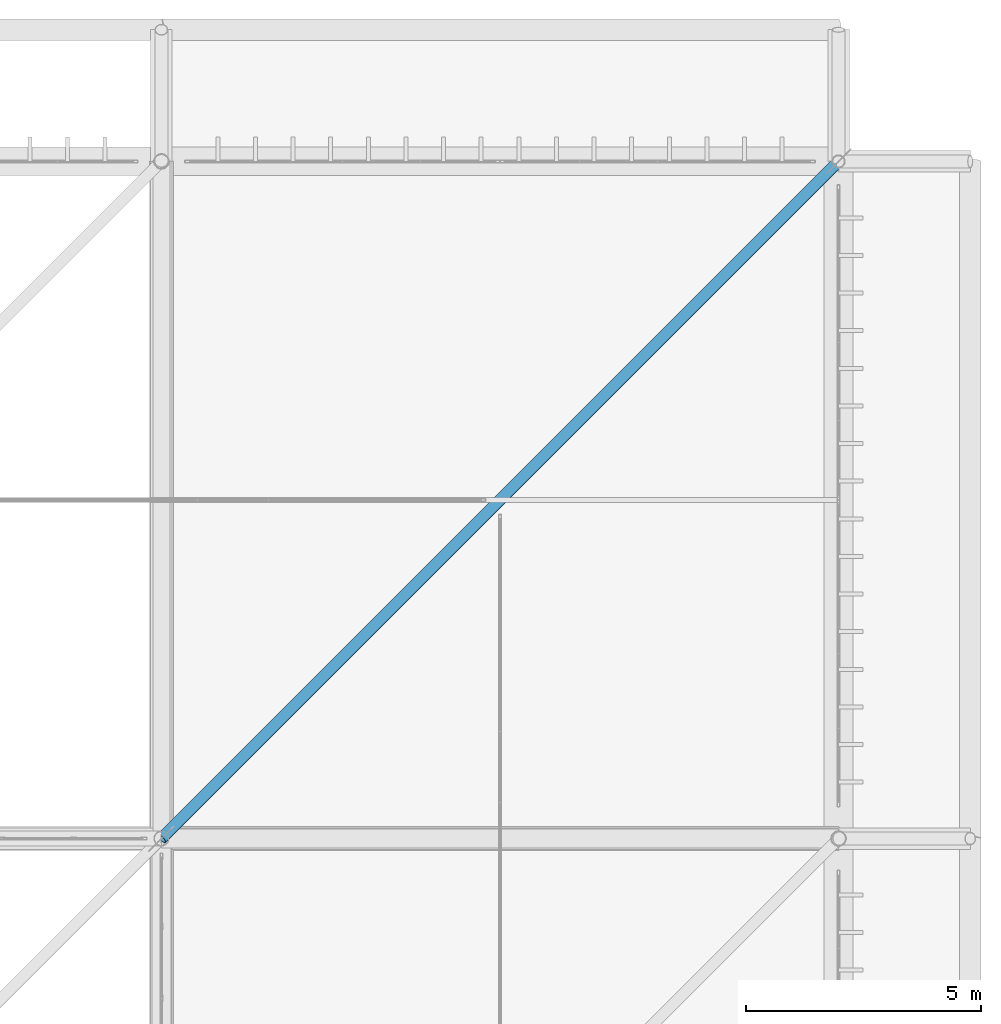
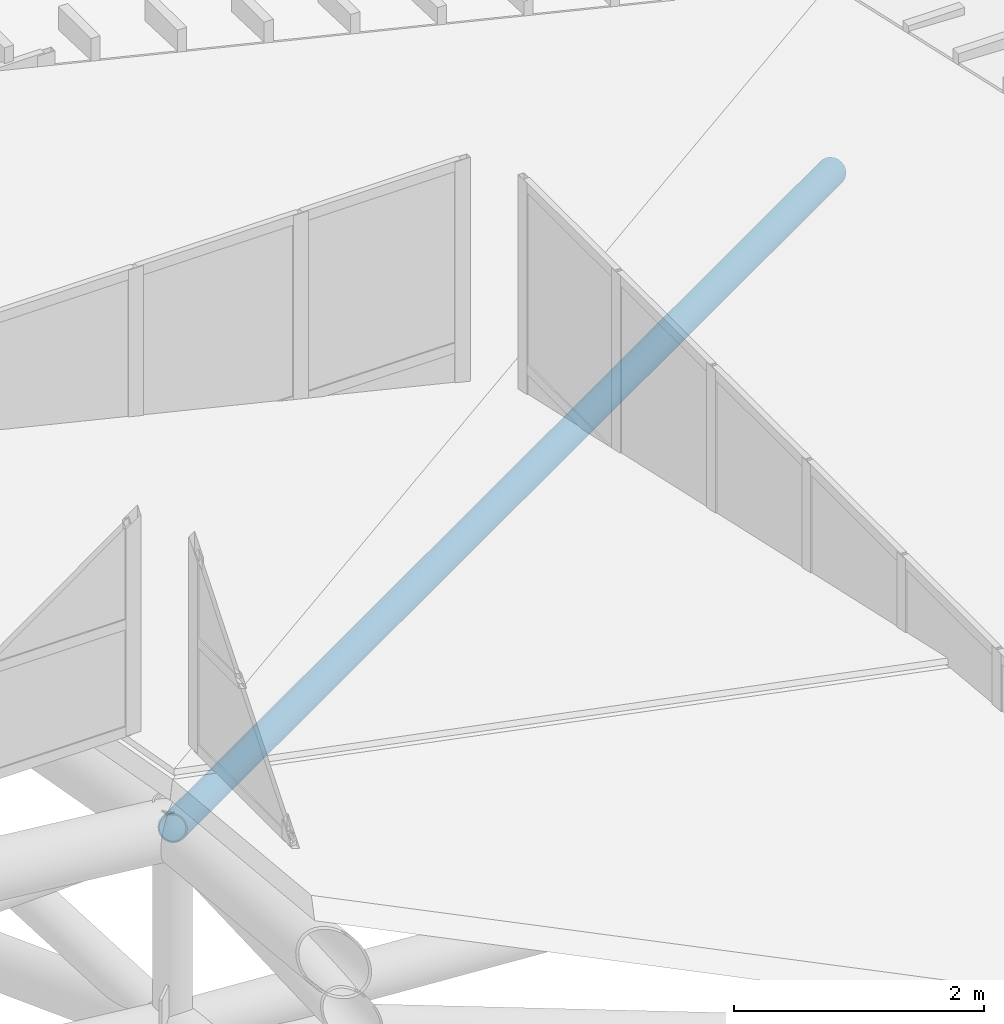
# One storey, part 341 of 397: 1 member.
"""IFC4 building model written with IfcOpenShell, lengths in metres."""

from ifc_helpers import new_model, si_unit, direction, frame, origin, origin_2d, place, context, subcontext, project, spatial, hollow_circle, extrude, material, material_profile, profile_set, type_object, element, save


model = new_model("IFC4")

# Units and contexts
model_context = context("Model", 3, precision=1e-05, world=origin(), true_north=direction((0.0, 1.0)))
body_context = subcontext(model_context, "Body", "Model", "MODEL_VIEW")
ifc_project = project(units=[si_unit("LENGTHUNIT", "METRE"), si_unit("AREAUNIT", "SQUARE_METRE"), si_unit("VOLUMEUNIT", "CUBIC_METRE"), si_unit("PLANEANGLEUNIT", "RADIAN"), si_unit("MASSUNIT", "GRAM", prefix="KILO")], contexts=[model_context])

# Site, building, storey
site_placement = place(None, origin())
site = spatial("IfcSite", under=ifc_project, at=site_placement, CompositionType="ELEMENT")
building_placement = place(site_placement, origin())
building = spatial("IfcBuilding", under=site, at=building_placement, Name="Qandorah Velis Arena", CompositionType="ELEMENT")
storey_placement = place(building_placement, frame((0.0, 0.0, 27.5)))
storey = spatial("IfcBuildingStorey", under=building, at=storey_placement, Name="RF", CompositionType="ELEMENT", Elevation=27.5)

# Member
ifc_material = material(Name="Steel S355", Category="steel")
ifc_material_profile = material_profile(ifc_material, hollow_circle(Radius=0.122314453125, WallThickness=0.012451171875, at=origin_2d()), Name="CHS 244.5x12.5")
ifc_profile_set = profile_set([ifc_material_profile], Name="Steel S355")
member_type = type_object("IfcMemberType", Name="STR-SFD-CHS244X12", PredefinedType="STRUT", material=ifc_profile_set)
member_placement = place(storey_placement, frame((115.199951171875, 115.199951171875, 0.10009765625), z_axis=(-0.664953320397, -0.664953320397, 0.340109046315), x_axis=(0.707106781187, -0.707106781187, 0.0)))
element("IfcMember", 1, at=member_placement, inside=storey, type_object=member_type, Name="Space frame roof spatial diagonal 6.6", PredefinedType="STRUT", context=body_context, shape_type="SweptSolid", body=[
    extrude(hollow_circle(Radius=0.122314453125, WallThickness=0.012451171875, at=origin_2d()), origin(), (0.0, 0.0, 1.0), 21.655517578125),
])

save(model, "model.ifc")
